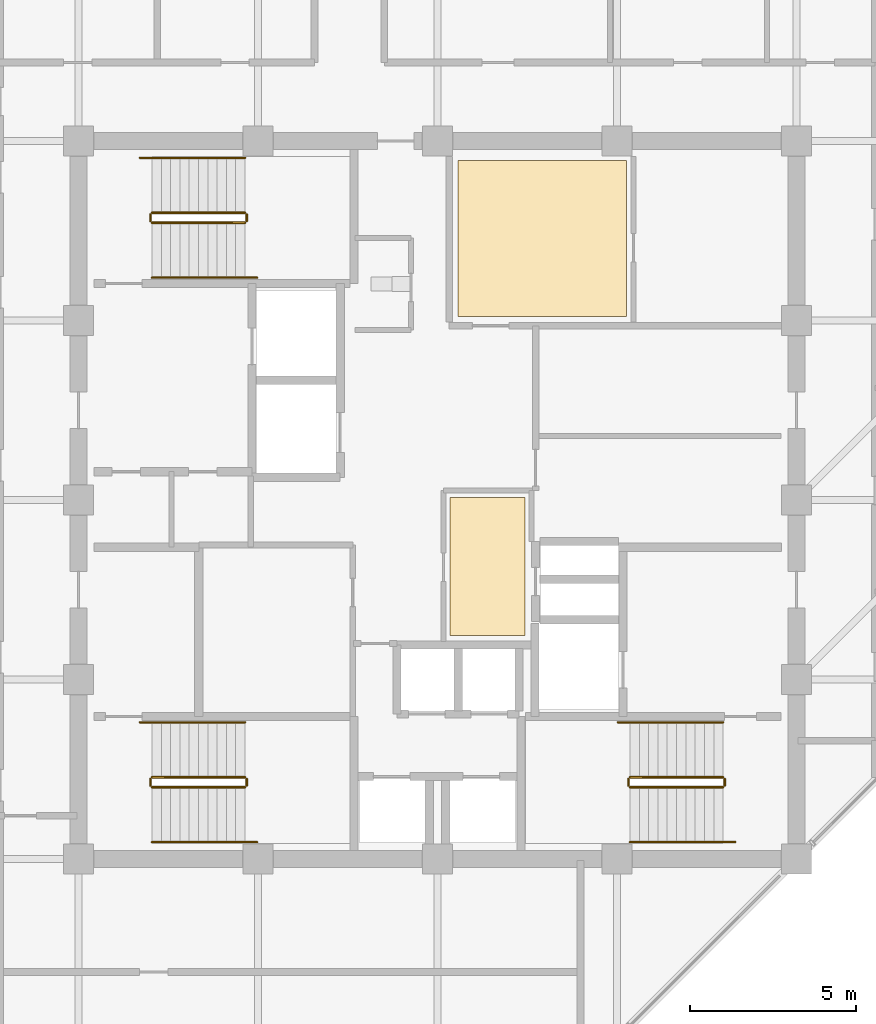
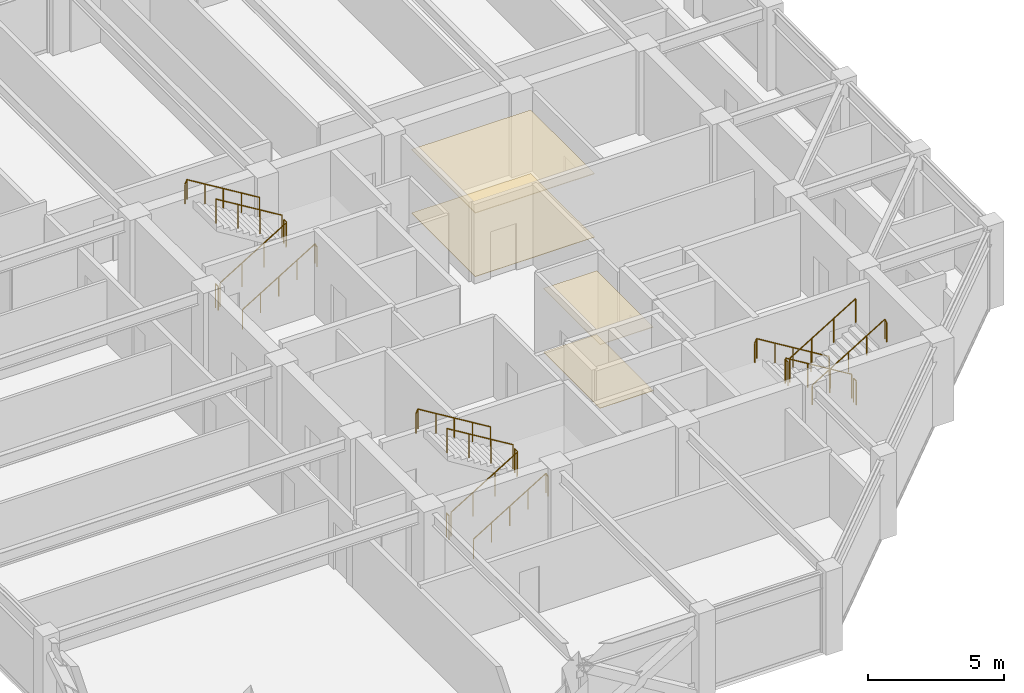
# One storey, part 30 of 31: 18 railings, 4 coverings.
"""IFC4 building model written with IfcOpenShell, lengths in metres."""

from ifc_helpers import new_model, si_unit, direction, frame, origin, origin_2d, place, context, subcontext, project, spatial, polyline, circle, outline, extrude, material, layer, layer_set, type_object, element, save


model = new_model("IFC4")

# Units and contexts
model_context = context("Model", 3, precision=1e-05, world=origin(), true_north=direction((0.0, 1.0)))
body_context = subcontext(model_context, "Body", "Model", "MODEL_VIEW")
ifc_project = project(units=[si_unit("LENGTHUNIT", "METRE"), si_unit("AREAUNIT", "SQUARE_METRE"), si_unit("VOLUMEUNIT", "CUBIC_METRE"), si_unit("PLANEANGLEUNIT", "RADIAN"), si_unit("MASSUNIT", "GRAM", prefix="KILO")], contexts=[model_context])

# Site, building, storey
site_placement = place(None, origin())
site = spatial("IfcSite", under=ifc_project, at=site_placement, CompositionType="ELEMENT")
building_placement = place(site_placement, origin())
building = spatial("IfcBuilding", under=site, at=building_placement, Name="Surkhivell Harbour Commons", CompositionType="ELEMENT")
storey_placement = place(building_placement, frame((0.0, 0.0, 285.0)))
storey = spatial("IfcBuildingStorey", under=building, at=storey_placement, Name="L74", CompositionType="ELEMENT", Elevation=285.0)

# Coverings
ifc_material_1 = material(Name="Perforated acoustic mineral-fibre ceiling tile", Category="other")
ifc_layer_1 = layer(ifc_material_1, 0.02490234375)
ifc_layer_set_1 = layer_set([ifc_layer_1], Name="Perforated acoustic mineral-fibre ceiling tile")
covering_type_1 = type_object("IfcCoveringType", Name="COV-CEIL-AC", PredefinedType="CEILING", material=ifc_layer_set_1)
covering_1_placement = place(storey_placement, frame((0.0, 0.0, 2.85205078125)))
element("IfcCovering", 1, at=covering_1_placement, inside=storey, type_object=covering_type_1, Name="L74 Suspended Acoustic Ceiling 1", PredefinedType="CEILING", context=body_context, shape_type="SweptSolid", body=[
    extrude(outline(polyline([(0.3701171875, -4.080078125), (2.6298828125, -4.080078125), (2.6298828125, 0.080078125), (0.3701171875, 0.080078125), (0.3701171875, -4.080078125)])), origin(), (0.0, 0.0, 1.0), 0.02490234375),
])
ifc_material_2 = material(Name="Moisture-resistant gypsum acoustic ceiling board", Category="other")
ifc_layer_2 = layer(ifc_material_2, 0.030029296875)
ifc_layer_set_2 = layer_set([ifc_layer_2], Name="Moisture-resistant gypsum acoustic ceiling board")
covering_type_2 = type_object("IfcCoveringType", Name="COV-CEIL-GYP", PredefinedType="CEILING", material=ifc_layer_set_2)
covering_2_placement = place(storey_placement, frame((0.0, 0.0, 2.846923828125)))
element("IfcCovering", 2, at=covering_2_placement, inside=storey, type_object=covering_type_2, Name="L74 Suspended Acoustic Ceiling 2", PredefinedType="CEILING", context=body_context, shape_type="SweptSolid", body=[
    extrude(outline(polyline([(0.6201171875, 5.52001953125), (5.679931640625, 5.52001953125), (5.679931640625, 10.219970703125), (0.6201171875, 10.219970703125), (0.6201171875, 5.52001953125)])), origin(), (0.0, 0.0, 1.0), 0.030029296875),
])
ifc_material_3 = material(Name="Engineered acoustic oak timber flooring", Category="wood")
ifc_layer_3 = layer(ifc_material_3, 0.02001953125)
ifc_layer_set_3 = layer_set([ifc_layer_3], Name="Engineered acoustic oak timber flooring")
covering_type_3 = type_object("IfcCoveringType", Name="COV-FLR-TIM", PredefinedType="FLOORING", material=ifc_layer_set_3)
covering_3_placement = place(storey_placement, origin())
element("IfcCovering", 3, at=covering_3_placement, inside=storey, type_object=covering_type_3, Name="L74 Interior Floor Finish 1", PredefinedType="FLOORING", context=body_context, shape_type="SweptSolid", body=[
    extrude(outline(polyline([(0.3701171875, -4.080078125), (2.6298828125, -4.080078125), (2.6298828125, 0.080078125), (0.3701171875, 0.080078125), (0.3701171875, -4.080078125)])), origin(), (0.0, 0.0, 1.0), 0.02001953125),
])
covering_4_placement = place(storey_placement, origin())
element("IfcCovering", 4, at=covering_4_placement, inside=storey, type_object=covering_type_3, Name="L74 Interior Floor Finish 2", PredefinedType="FLOORING", context=body_context, shape_type="SweptSolid", body=[
    extrude(outline(polyline([(0.6201171875, 5.52001953125), (5.679931640625, 5.52001953125), (5.679931640625, 10.219970703125), (0.6201171875, 10.219970703125), (0.6201171875, 5.52001953125)])), origin(), (0.0, 0.0, 1.0), 0.02001953125),
])

# Railings
ifc_material_4 = material(Name="Galvanised and painted steel S355 guard rail", Category="steel")
railing_type_1 = type_object("IfcRailingType", Name="RAL-ST-GRD1100", PredefinedType="GUARDRAIL", material=ifc_material_4)
railing_1_placement = place(storey_placement, frame((-8.590087890625, 8.340087890625, 0.17041015625)))
element("IfcRailing", 5, at=railing_1_placement, inside=storey, type_object=railing_type_1, Name="L74 ST1 stair guard 1", PredefinedType="GUARDRAIL", context=body_context, shape_type="SweptSolid", body=[
    extrude(circle(Radius=0.02392578125, at=origin_2d()), frame((0.0, 0.0, 1.076171875), z_axis=(0.854169791009, 0.0, 0.51999420009), x_axis=(0.0, 1.0, 0.0)), (0.0, 0.0, 1.0), 3.278076171875),
    extrude(circle(Radius=0.02099609375, at=origin_2d()), origin(), (0.0, 0.0, 1.0), 1.052001953125),
    extrude(circle(Radius=0.02099609375, at=origin_2d()), frame((0.933349609375, 0.0, 0.568115234375)), (0.0, 0.0, 1.0), 1.052001953125),
    extrude(circle(Radius=0.02099609375, at=origin_2d()), frame((1.86669921875, 0.0, 1.136474609375)), (0.0, 0.0, 1.0), 1.052001953125),
    extrude(circle(Radius=0.02099609375, at=origin_2d()), frame((2.800048828125, 0.0, 1.70458984375)), (0.0, 0.0, 1.0), 1.052001953125),
])
railing_2_placement = place(storey_placement, frame((-5.739990234375, 8.389892578125, 1.875)))
element("IfcRailing", 6, at=railing_2_placement, inside=storey, type_object=railing_type_1, Name="L74 ST1 stair guard 2", PredefinedType="GUARDRAIL", context=body_context, shape_type="SweptSolid", body=[
    extrude(circle(Radius=0.02392578125, at=origin_2d()), frame((0.0, 0.0, 1.076171875), z_axis=(0.0, 1.0, 0.0), x_axis=(-1.0, 0.0, 0.0)), (0.0, 0.0, 1.0), 0.2001953125),
    extrude(circle(Radius=0.02099609375, at=origin_2d()), origin(), (0.0, 0.0, 1.0), 1.052001953125),
    extrude(circle(Radius=0.02099609375, at=origin_2d()), frame((0.0, 0.2001953125, 0.0)), (0.0, 0.0, 1.0), 1.052001953125),
])
railing_3_placement = place(storey_placement, frame((-5.7900390625, 8.639892578125, 2.04541015625)))
element("IfcRailing", 7, at=railing_3_placement, inside=storey, type_object=railing_type_1, Name="L74 ST1 stair guard 3", PredefinedType="GUARDRAIL", context=body_context, shape_type="SweptSolid", body=[
    extrude(circle(Radius=0.02392578125, at=origin_2d()), frame((0.0, 0.0, 1.076171875), z_axis=(-0.854169791009, 0.0, 0.51999420009), x_axis=(0.0, -1.0, 0.0)), (0.0, 0.0, 1.0), 3.278076171875),
    extrude(circle(Radius=0.02099609375, at=origin_2d()), origin(), (0.0, 0.0, 1.0), 1.052001953125),
    extrude(circle(Radius=0.02099609375, at=origin_2d()), frame((-0.933349609375, 0.0, 0.568115234375)), (0.0, 0.0, 1.0), 1.052001953125),
    extrude(circle(Radius=0.02099609375, at=origin_2d()), frame((-1.86669921875, 0.0, 1.136474609375)), (0.0, 0.0, 1.0), 1.052001953125),
    extrude(circle(Radius=0.02099609375, at=origin_2d()), frame((-2.800048828125, 0.0, 1.70458984375)), (0.0, 0.0, 1.0), 1.052001953125),
])
railing_4_placement = place(storey_placement, frame((-8.639892578125, 8.389892578125, 0.0)))
element("IfcRailing", 8, at=railing_4_placement, inside=storey, type_object=railing_type_1, Name="L74 ST1 stair guard 4", PredefinedType="GUARDRAIL", context=body_context, shape_type="SweptSolid", body=[
    extrude(circle(Radius=0.02392578125, at=origin_2d()), frame((0.0, 0.0, 1.076171875), z_axis=(0.0, 1.0, 0.0), x_axis=(-1.0, 0.0, 0.0)), (0.0, 0.0, 1.0), 0.2001953125),
    extrude(circle(Radius=0.02099609375, at=origin_2d()), origin(), (0.0, 0.0, 1.0), 1.052001953125),
    extrude(circle(Radius=0.02099609375, at=origin_2d()), frame((0.0, 0.2001953125, 0.0)), (0.0, 0.0, 1.0), 1.052001953125),
])
railing_5_placement = place(storey_placement, frame((8.590087890625, -8.340087890625, 0.17041015625)))
element("IfcRailing", 9, at=railing_5_placement, inside=storey, type_object=railing_type_1, Name="L74 ST2 stair guard 1", PredefinedType="GUARDRAIL", context=body_context, shape_type="SweptSolid", body=[
    extrude(circle(Radius=0.02392578125, at=origin_2d()), frame((0.0, 0.0, 1.076171875), z_axis=(-0.854169791009, 0.0, 0.51999420009), x_axis=(0.0, -1.0, 0.0)), (0.0, 0.0, 1.0), 3.278076171875),
    extrude(circle(Radius=0.02099609375, at=origin_2d()), origin(), (0.0, 0.0, 1.0), 1.052001953125),
    extrude(circle(Radius=0.02099609375, at=origin_2d()), frame((-0.933349609375, 0.0, 0.568115234375)), (0.0, 0.0, 1.0), 1.052001953125),
    extrude(circle(Radius=0.02099609375, at=origin_2d()), frame((-1.86669921875, 0.0, 1.136474609375)), (0.0, 0.0, 1.0), 1.052001953125),
    extrude(circle(Radius=0.02099609375, at=origin_2d()), frame((-2.800048828125, 0.0, 1.70458984375)), (0.0, 0.0, 1.0), 1.052001953125),
])
railing_6_placement = place(storey_placement, frame((5.739990234375, -8.389892578125, 1.875)))
element("IfcRailing", 10, at=railing_6_placement, inside=storey, type_object=railing_type_1, Name="L74 ST2 stair guard 2", PredefinedType="GUARDRAIL", context=body_context, shape_type="SweptSolid", body=[
    extrude(circle(Radius=0.02392578125, at=origin_2d()), frame((0.0, 0.0, 1.076171875), z_axis=(0.0, -1.0, 0.0), x_axis=(1.0, 0.0, 0.0)), (0.0, 0.0, 1.0), 0.2001953125),
    extrude(circle(Radius=0.02099609375, at=origin_2d()), origin(), (0.0, 0.0, 1.0), 1.052001953125),
    extrude(circle(Radius=0.02099609375, at=origin_2d()), frame((0.0, -0.2001953125, 0.0)), (0.0, 0.0, 1.0), 1.052001953125),
])
railing_7_placement = place(storey_placement, frame((5.7900390625, -8.639892578125, 2.04541015625)))
element("IfcRailing", 11, at=railing_7_placement, inside=storey, type_object=railing_type_1, Name="L74 ST2 stair guard 3", PredefinedType="GUARDRAIL", context=body_context, shape_type="SweptSolid", body=[
    extrude(circle(Radius=0.02392578125, at=origin_2d()), frame((0.0, 0.0, 1.076171875), z_axis=(0.854169791009, 0.0, 0.51999420009), x_axis=(0.0, 1.0, 0.0)), (0.0, 0.0, 1.0), 3.278076171875),
    extrude(circle(Radius=0.02099609375, at=origin_2d()), origin(), (0.0, 0.0, 1.0), 1.052001953125),
    extrude(circle(Radius=0.02099609375, at=origin_2d()), frame((0.933349609375, 0.0, 0.568115234375)), (0.0, 0.0, 1.0), 1.052001953125),
    extrude(circle(Radius=0.02099609375, at=origin_2d()), frame((1.86669921875, 0.0, 1.136474609375)), (0.0, 0.0, 1.0), 1.052001953125),
    extrude(circle(Radius=0.02099609375, at=origin_2d()), frame((2.800048828125, 0.0, 1.70458984375)), (0.0, 0.0, 1.0), 1.052001953125),
])
railing_8_placement = place(storey_placement, frame((8.639892578125, -8.389892578125, 0.0)))
element("IfcRailing", 12, at=railing_8_placement, inside=storey, type_object=railing_type_1, Name="L74 ST2 stair guard 4", PredefinedType="GUARDRAIL", context=body_context, shape_type="SweptSolid", body=[
    extrude(circle(Radius=0.02392578125, at=origin_2d()), frame((0.0, 0.0, 1.076171875), z_axis=(0.0, -1.0, 0.0), x_axis=(1.0, 0.0, 0.0)), (0.0, 0.0, 1.0), 0.2001953125),
    extrude(circle(Radius=0.02099609375, at=origin_2d()), origin(), (0.0, 0.0, 1.0), 1.052001953125),
    extrude(circle(Radius=0.02099609375, at=origin_2d()), frame((0.0, -0.2001953125, 0.0)), (0.0, 0.0, 1.0), 1.052001953125),
])
railing_9_placement = place(storey_placement, frame((-8.590087890625, -8.639892578125, 0.17041015625)))
element("IfcRailing", 13, at=railing_9_placement, inside=storey, type_object=railing_type_1, Name="L74 ST3 stair guard 1", PredefinedType="GUARDRAIL", context=body_context, shape_type="SweptSolid", body=[
    extrude(circle(Radius=0.02392578125, at=origin_2d()), frame((0.0, 0.0, 1.076171875), z_axis=(0.854169791009, 0.0, 0.51999420009), x_axis=(0.0, 1.0, 0.0)), (0.0, 0.0, 1.0), 3.278076171875),
    extrude(circle(Radius=0.02099609375, at=origin_2d()), origin(), (0.0, 0.0, 1.0), 1.052001953125),
    extrude(circle(Radius=0.02099609375, at=origin_2d()), frame((0.933349609375, 0.0, 0.568115234375)), (0.0, 0.0, 1.0), 1.052001953125),
    extrude(circle(Radius=0.02099609375, at=origin_2d()), frame((1.86669921875, 0.0, 1.136474609375)), (0.0, 0.0, 1.0), 1.052001953125),
    extrude(circle(Radius=0.02099609375, at=origin_2d()), frame((2.800048828125, 0.0, 1.70458984375)), (0.0, 0.0, 1.0), 1.052001953125),
])
railing_10_placement = place(storey_placement, frame((-5.739990234375, -8.590087890625, 1.875)))
element("IfcRailing", 14, at=railing_10_placement, inside=storey, type_object=railing_type_1, Name="L74 ST3 stair guard 2", PredefinedType="GUARDRAIL", context=body_context, shape_type="SweptSolid", body=[
    extrude(circle(Radius=0.02392578125, at=origin_2d()), frame((0.0, 0.0, 1.076171875), z_axis=(0.0, 1.0, 0.0), x_axis=(-1.0, 0.0, 0.0)), (0.0, 0.0, 1.0), 0.2001953125),
    extrude(circle(Radius=0.02099609375, at=origin_2d()), origin(), (0.0, 0.0, 1.0), 1.052001953125),
    extrude(circle(Radius=0.02099609375, at=origin_2d()), frame((0.0, 0.2001953125, 0.0)), (0.0, 0.0, 1.0), 1.052001953125),
])
railing_11_placement = place(storey_placement, frame((-5.7900390625, -8.340087890625, 2.04541015625)))
element("IfcRailing", 15, at=railing_11_placement, inside=storey, type_object=railing_type_1, Name="L74 ST3 stair guard 3", PredefinedType="GUARDRAIL", context=body_context, shape_type="SweptSolid", body=[
    extrude(circle(Radius=0.02392578125, at=origin_2d()), frame((0.0, 0.0, 1.076171875), z_axis=(-0.854169791009, 0.0, 0.51999420009), x_axis=(0.0, -1.0, 0.0)), (0.0, 0.0, 1.0), 3.278076171875),
    extrude(circle(Radius=0.02099609375, at=origin_2d()), origin(), (0.0, 0.0, 1.0), 1.052001953125),
    extrude(circle(Radius=0.02099609375, at=origin_2d()), frame((-0.933349609375, 0.0, 0.568115234375)), (0.0, 0.0, 1.0), 1.052001953125),
    extrude(circle(Radius=0.02099609375, at=origin_2d()), frame((-1.86669921875, 0.0, 1.136474609375)), (0.0, 0.0, 1.0), 1.052001953125),
    extrude(circle(Radius=0.02099609375, at=origin_2d()), frame((-2.800048828125, 0.0, 1.70458984375)), (0.0, 0.0, 1.0), 1.052001953125),
])
railing_12_placement = place(storey_placement, frame((-8.639892578125, -8.590087890625, 0.0)))
element("IfcRailing", 16, at=railing_12_placement, inside=storey, type_object=railing_type_1, Name="L74 ST3 stair guard 4", PredefinedType="GUARDRAIL", context=body_context, shape_type="SweptSolid", body=[
    extrude(circle(Radius=0.02392578125, at=origin_2d()), frame((0.0, 0.0, 1.076171875), z_axis=(0.0, 1.0, 0.0), x_axis=(-1.0, 0.0, 0.0)), (0.0, 0.0, 1.0), 0.2001953125),
    extrude(circle(Radius=0.02099609375, at=origin_2d()), origin(), (0.0, 0.0, 1.0), 1.052001953125),
    extrude(circle(Radius=0.02099609375, at=origin_2d()), frame((0.0, 0.2001953125, 0.0)), (0.0, 0.0, 1.0), 1.052001953125),
])
ifc_material_5 = material(Name="Brushed stainless steel S355 handrail", Category="steel")
railing_type_2 = type_object("IfcRailingType", Name="RAL-ST-HND900", PredefinedType="HANDRAIL", material=ifc_material_5)
railing_13_placement = place(storey_placement, frame((-8.590087890625, 6.68994140625, 0.17041015625)))
element("IfcRailing", 17, at=railing_13_placement, inside=storey, type_object=railing_type_2, Name="L74 ST1 stair handrail 1", PredefinedType="HANDRAIL", context=body_context, shape_type="SweptSolid", body=[
    extrude(circle(Radius=0.02392578125, at=origin_2d()), frame((0.0, 0.0, 0.8759765625), z_axis=(0.854177636135, 0.0, 0.519981313056), x_axis=(0.0, 1.0, 0.0)), (0.0, 0.0, 1.0), 3.60595703125),
    extrude(circle(Radius=0.02392578125, at=origin_2d()), frame((3.080078125, 0.0, 2.7509765625), z_axis=(0.425297416671, 0.0, -0.905053648892), x_axis=(0.0, 1.0, 0.0)), (0.0, 0.0, 1.0), 0.188232421875),
    extrude(circle(Radius=0.02099609375, at=origin_2d()), origin(), (0.0, 0.0, 1.0), 0.851806640625),
    extrude(circle(Radius=0.02099609375, at=origin_2d()), frame((0.77001953125, 0.0, 0.46875)), (0.0, 0.0, 1.0), 0.851806640625),
    extrude(circle(Radius=0.02099609375, at=origin_2d()), frame((1.5400390625, 0.0, 0.9375)), (0.0, 0.0, 1.0), 0.851806640625),
    extrude(circle(Radius=0.02099609375, at=origin_2d()), frame((2.31005859375, 0.0, 1.40625)), (0.0, 0.0, 1.0), 0.851806640625),
    extrude(circle(Radius=0.02099609375, at=origin_2d()), frame((3.080078125, 0.0, 1.875)), (0.0, 0.0, 1.0), 0.851806640625),
    extrude(circle(Radius=0.02099609375, at=origin_2d()), frame((3.16015625, 0.0, 1.70458984375)), (0.0, 0.0, 1.0), 0.851806640625),
])
railing_14_placement = place(storey_placement, frame((-5.7900390625, 10.2900390625, 2.04541015625)))
element("IfcRailing", 18, at=railing_14_placement, inside=storey, type_object=railing_type_2, Name="L74 ST1 stair handrail 2", PredefinedType="HANDRAIL", context=body_context, shape_type="SweptSolid", body=[
    extrude(circle(Radius=0.02392578125, at=origin_2d()), frame((0.0, 0.0, 0.8759765625), z_axis=(-0.854177636135, 0.0, 0.519981313056), x_axis=(0.0, -1.0, 0.0)), (0.0, 0.0, 1.0), 3.60595703125),
    extrude(circle(Radius=0.02392578125, at=origin_2d()), frame((-3.080078125, 0.0, 2.7509765625), z_axis=(-0.424234432967, 0.0, -0.905552398199), x_axis=(0.0, -1.0, 0.0)), (0.0, 0.0, 1.0), 0.188232421875),
    extrude(circle(Radius=0.02099609375, at=origin_2d()), origin(), (0.0, 0.0, 1.0), 0.851806640625),
    extrude(circle(Radius=0.02099609375, at=origin_2d()), frame((-0.77001953125, 0.0, 0.46875)), (0.0, 0.0, 1.0), 0.851806640625),
    extrude(circle(Radius=0.02099609375, at=origin_2d()), frame((-1.5400390625, 0.0, 0.9375)), (0.0, 0.0, 1.0), 0.851806640625),
    extrude(circle(Radius=0.02099609375, at=origin_2d()), frame((-2.31005859375, 0.0, 1.40625)), (0.0, 0.0, 1.0), 0.851806640625),
    extrude(circle(Radius=0.02099609375, at=origin_2d()), frame((-3.080078125, 0.0, 1.875)), (0.0, 0.0, 1.0), 0.851806640625),
    extrude(circle(Radius=0.02099609375, at=origin_2d()), frame((-3.159912109375, 0.0, 1.70458984375)), (0.0, 0.0, 1.0), 0.851806640625),
])
railing_15_placement = place(storey_placement, frame((8.590087890625, -6.68994140625, 0.17041015625)))
element("IfcRailing", 19, at=railing_15_placement, inside=storey, type_object=railing_type_2, Name="L74 ST2 stair handrail 1", PredefinedType="HANDRAIL", context=body_context, shape_type="SweptSolid", body=[
    extrude(circle(Radius=0.02392578125, at=origin_2d()), frame((0.0, 0.0, 0.8759765625), z_axis=(-0.854177636135, 0.0, 0.519981313056), x_axis=(0.0, -1.0, 0.0)), (0.0, 0.0, 1.0), 3.60595703125),
    extrude(circle(Radius=0.02392578125, at=origin_2d()), frame((-3.080078125, 0.0, 2.7509765625), z_axis=(-0.425297416671, 0.0, -0.905053648892), x_axis=(0.0, -1.0, 0.0)), (0.0, 0.0, 1.0), 0.188232421875),
    extrude(circle(Radius=0.02099609375, at=origin_2d()), origin(), (0.0, 0.0, 1.0), 0.851806640625),
    extrude(circle(Radius=0.02099609375, at=origin_2d()), frame((-0.77001953125, 0.0, 0.46875)), (0.0, 0.0, 1.0), 0.851806640625),
    extrude(circle(Radius=0.02099609375, at=origin_2d()), frame((-1.5400390625, 0.0, 0.9375)), (0.0, 0.0, 1.0), 0.851806640625),
    extrude(circle(Radius=0.02099609375, at=origin_2d()), frame((-2.31005859375, 0.0, 1.40625)), (0.0, 0.0, 1.0), 0.851806640625),
    extrude(circle(Radius=0.02099609375, at=origin_2d()), frame((-3.080078125, 0.0, 1.875)), (0.0, 0.0, 1.0), 0.851806640625),
    extrude(circle(Radius=0.02099609375, at=origin_2d()), frame((-3.16015625, 0.0, 1.70458984375)), (0.0, 0.0, 1.0), 0.851806640625),
])
railing_16_placement = place(storey_placement, frame((5.7900390625, -10.2900390625, 2.04541015625)))
element("IfcRailing", 20, at=railing_16_placement, inside=storey, type_object=railing_type_2, Name="L74 ST2 stair handrail 2", PredefinedType="HANDRAIL", context=body_context, shape_type="SweptSolid", body=[
    extrude(circle(Radius=0.02392578125, at=origin_2d()), frame((0.0, 0.0, 0.8759765625), z_axis=(0.854177636135, 0.0, 0.519981313056), x_axis=(0.0, 1.0, 0.0)), (0.0, 0.0, 1.0), 3.60595703125),
    extrude(circle(Radius=0.02392578125, at=origin_2d()), frame((3.080078125, 0.0, 2.7509765625), z_axis=(0.424234432967, 0.0, -0.905552398199), x_axis=(0.0, 1.0, 0.0)), (0.0, 0.0, 1.0), 0.188232421875),
    extrude(circle(Radius=0.02099609375, at=origin_2d()), origin(), (0.0, 0.0, 1.0), 0.851806640625),
    extrude(circle(Radius=0.02099609375, at=origin_2d()), frame((0.77001953125, 0.0, 0.46875)), (0.0, 0.0, 1.0), 0.851806640625),
    extrude(circle(Radius=0.02099609375, at=origin_2d()), frame((1.5400390625, 0.0, 0.9375)), (0.0, 0.0, 1.0), 0.851806640625),
    extrude(circle(Radius=0.02099609375, at=origin_2d()), frame((2.31005859375, 0.0, 1.40625)), (0.0, 0.0, 1.0), 0.851806640625),
    extrude(circle(Radius=0.02099609375, at=origin_2d()), frame((3.080078125, 0.0, 1.875)), (0.0, 0.0, 1.0), 0.851806640625),
    extrude(circle(Radius=0.02099609375, at=origin_2d()), frame((3.159912109375, 0.0, 1.70458984375)), (0.0, 0.0, 1.0), 0.851806640625),
])
railing_17_placement = place(storey_placement, frame((-8.590087890625, -10.2900390625, 0.17041015625)))
element("IfcRailing", 21, at=railing_17_placement, inside=storey, type_object=railing_type_2, Name="L74 ST3 stair handrail 1", PredefinedType="HANDRAIL", context=body_context, shape_type="SweptSolid", body=[
    extrude(circle(Radius=0.02392578125, at=origin_2d()), frame((0.0, 0.0, 0.8759765625), z_axis=(0.854177636135, 0.0, 0.519981313056), x_axis=(0.0, 1.0, 0.0)), (0.0, 0.0, 1.0), 3.60595703125),
    extrude(circle(Radius=0.02392578125, at=origin_2d()), frame((3.080078125, 0.0, 2.7509765625), z_axis=(0.425297416671, 0.0, -0.905053648892), x_axis=(0.0, 1.0, 0.0)), (0.0, 0.0, 1.0), 0.188232421875),
    extrude(circle(Radius=0.02099609375, at=origin_2d()), origin(), (0.0, 0.0, 1.0), 0.851806640625),
    extrude(circle(Radius=0.02099609375, at=origin_2d()), frame((0.77001953125, 0.0, 0.46875)), (0.0, 0.0, 1.0), 0.851806640625),
    extrude(circle(Radius=0.02099609375, at=origin_2d()), frame((1.5400390625, 0.0, 0.9375)), (0.0, 0.0, 1.0), 0.851806640625),
    extrude(circle(Radius=0.02099609375, at=origin_2d()), frame((2.31005859375, 0.0, 1.40625)), (0.0, 0.0, 1.0), 0.851806640625),
    extrude(circle(Radius=0.02099609375, at=origin_2d()), frame((3.080078125, 0.0, 1.875)), (0.0, 0.0, 1.0), 0.851806640625),
    extrude(circle(Radius=0.02099609375, at=origin_2d()), frame((3.16015625, 0.0, 1.70458984375)), (0.0, 0.0, 1.0), 0.851806640625),
])
railing_18_placement = place(storey_placement, frame((-5.7900390625, -6.68994140625, 2.04541015625)))
element("IfcRailing", 22, at=railing_18_placement, inside=storey, type_object=railing_type_2, Name="L74 ST3 stair handrail 2", PredefinedType="HANDRAIL", context=body_context, shape_type="SweptSolid", body=[
    extrude(circle(Radius=0.02392578125, at=origin_2d()), frame((0.0, 0.0, 0.8759765625), z_axis=(-0.854177636135, 0.0, 0.519981313056), x_axis=(0.0, -1.0, 0.0)), (0.0, 0.0, 1.0), 3.60595703125),
    extrude(circle(Radius=0.02392578125, at=origin_2d()), frame((-3.080078125, 0.0, 2.7509765625), z_axis=(-0.424234432967, 0.0, -0.905552398199), x_axis=(0.0, -1.0, 0.0)), (0.0, 0.0, 1.0), 0.188232421875),
    extrude(circle(Radius=0.02099609375, at=origin_2d()), origin(), (0.0, 0.0, 1.0), 0.851806640625),
    extrude(circle(Radius=0.02099609375, at=origin_2d()), frame((-0.77001953125, 0.0, 0.46875)), (0.0, 0.0, 1.0), 0.851806640625),
    extrude(circle(Radius=0.02099609375, at=origin_2d()), frame((-1.5400390625, 0.0, 0.9375)), (0.0, 0.0, 1.0), 0.851806640625),
    extrude(circle(Radius=0.02099609375, at=origin_2d()), frame((-2.31005859375, 0.0, 1.40625)), (0.0, 0.0, 1.0), 0.851806640625),
    extrude(circle(Radius=0.02099609375, at=origin_2d()), frame((-3.080078125, 0.0, 1.875)), (0.0, 0.0, 1.0), 0.851806640625),
    extrude(circle(Radius=0.02099609375, at=origin_2d()), frame((-3.159912109375, 0.0, 1.70458984375)), (0.0, 0.0, 1.0), 0.851806640625),
])

save(model, "model.ifc")
